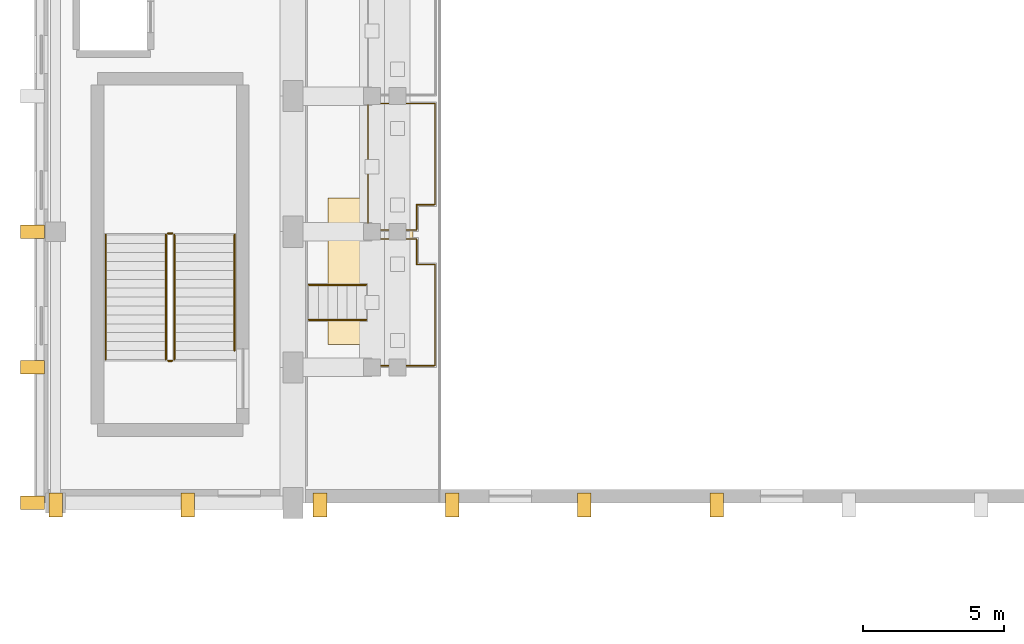
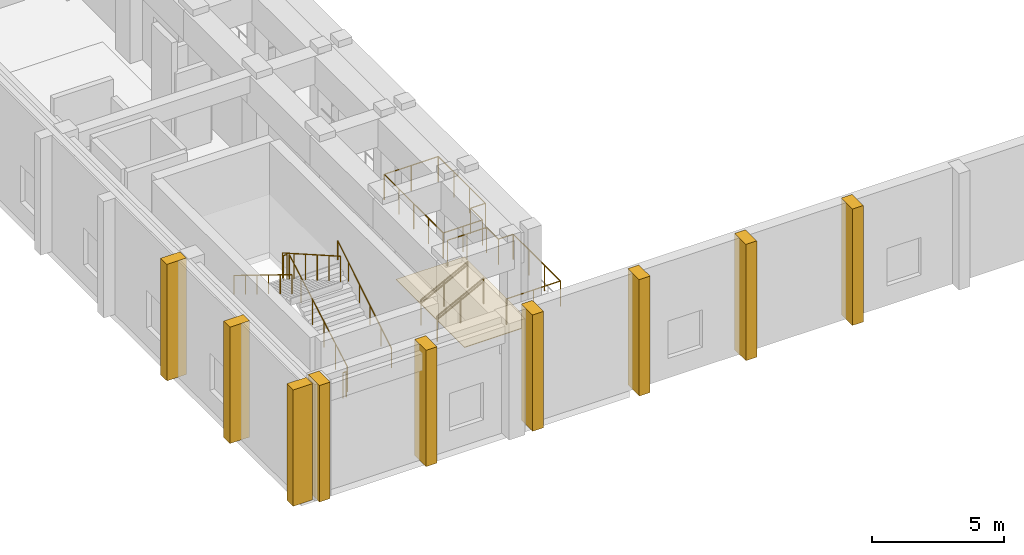
# One storey, part 117 of 134: 12 railings, 10 coverings.
"""IFC4 building model written with IfcOpenShell, lengths in metres."""

from ifc_helpers import new_model, si_unit, direction, frame, origin, origin_2d, place, context, subcontext, project, spatial, polyline, rectangle, circle, outline, extrude, material, layer, layer_set, type_object, element, save


model = new_model("IFC4")

# Units and contexts
model_context = context("Model", 3, precision=1e-05, world=origin(), true_north=direction((0.0, 1.0)))
body_context = subcontext(model_context, "Body", "Model", "MODEL_VIEW")
ifc_project = project(units=[si_unit("LENGTHUNIT", "METRE"), si_unit("AREAUNIT", "SQUARE_METRE"), si_unit("VOLUMEUNIT", "CUBIC_METRE"), si_unit("PLANEANGLEUNIT", "RADIAN"), si_unit("MASSUNIT", "GRAM", prefix="KILO")], contexts=[model_context])

# Site, building, storey
site_placement = place(None, origin())
site = spatial("IfcSite", under=ifc_project, at=site_placement, CompositionType="ELEMENT")
building_placement = place(site_placement, origin())
building = spatial("IfcBuilding", under=site, at=building_placement, Name="Nakhvara Creek Congress Hotel", CompositionType="ELEMENT")
storey_placement = place(building_placement, frame((0.0, 0.0, 6.0)))
storey = spatial("IfcBuildingStorey", under=building, at=storey_placement, Name="L01", CompositionType="ELEMENT", Elevation=6.0)

# Coverings
ifc_material_1 = material(Name="Honed pale Omani limestone architectural cladding", Category="masonry")
ifc_layer_1 = layer(ifc_material_1, 0.449951171875)
ifc_layer_set_1 = layer_set([ifc_layer_1], Name="Honed pale Omani limestone architectural cladding")
covering_type_1 = type_object("IfcCoveringType", Name="COV-BUTT-850", PredefinedType="CLADDING", material=ifc_layer_set_1)
for number, where, z_axis, x_axis, name in (
    (1, (-0.06494140625, 33.60009765625, 0.0), (0.0, 0.0, 1.0), (0.0, 1.0, 0.0), "Gothic Limestone Buttress Pier CF03-0434"),
    (2, (-0.06494140625, 38.39990234375, 0.0), (0.0, 0.0, 1.0), (0.0, 1.0, 0.0), "Gothic Limestone Buttress Pier CF03-0435"),
    (3, (-0.06494140625, 43.199951171875, 0.0), (0.0, 0.0, 1.0), (0.0, 1.0, 0.0), "Gothic Limestone Buttress Pier CF03-0436"),
    (4, (0.75, 33.534912109375, 0.0), (0.0, 0.0, 1.0), (1.0, 0.0, 0.0), "Gothic Limestone Buttress Pier CF03-0446"),
    (5, (5.429931640625, 33.534912109375, 0.0), (0.0, 0.0, 1.0), (1.0, 0.0, 0.0), "Gothic Limestone Buttress Pier CF03-0447"),
    (6, (10.110107421875, 33.534912109375, 0.0), (0.0, 0.0, 1.0), (1.0, 0.0, 0.0), "Gothic Limestone Buttress Pier CF03-0448"),
    (7, (14.7900390625, 33.534912109375, 0.0), (0.0, 0.0, 1.0), (1.0, 0.0, 0.0), "Gothic Limestone Buttress Pier CF03-0449"),
    (8, (19.469970703125, 33.534912109375, 0.0), (0.0, 0.0, 1.0), (1.0, 0.0, 0.0), "Gothic Limestone Buttress Pier CF03-0450"),
    (9, (24.14990234375, 33.534912109375, 0.0), (0.0, 0.0, 1.0), (1.0, 0.0, 0.0), "Gothic Limestone Buttress Pier CF03-0451"),
):
    element("IfcCovering", number, at=place(storey_placement, frame(where, z_axis=z_axis, x_axis=x_axis)), inside=storey, type_object=covering_type_1, Name=name, PredefinedType="CLADDING", context=body_context, shape_type="SweptSolid", body=[
        extrude(rectangle(XDim=0.47998046875, YDim=0.85009765625, at=origin_2d()), origin(), (0.0, 0.0, 1.0), 5.39990234375),
    ])
ifc_material_2 = material(Name="Honed limestone and terrazzo acoustic floor finish", Category="masonry")
ifc_layer_2 = layer(ifc_material_2, 0.044921875)
ifc_layer_set_2 = layer_set([ifc_layer_2], Name="Honed limestone and terrazzo acoustic floor finish")
covering_type_2 = type_object("IfcCoveringType", Name="COV-FLR-TER", PredefinedType="FLOORING", material=ifc_layer_set_2)
covering_placement = place(storey_placement, origin())
element("IfcCovering", 10, at=covering_placement, inside=storey, type_object=covering_type_2, Name="Floor Finish L01-CH-01", PredefinedType="FLOORING", context=body_context, shape_type="SweptSolid", body=[
    extrude(outline(polyline([(10.39990234375, 39.199951171875), (13.39990234375, 39.199951171875), (13.39990234375, 44.39990234375), (10.39990234375, 44.39990234375), (10.39990234375, 39.199951171875)])), origin(), (0.0, 0.0, 1.0), 0.030029296875),
])

# Railings
ifc_material_3 = material(Name="Bronze-anodised aluminium and laminated safety glass balustrade", Category="aluminium")
railing_type_1 = type_object("IfcRailingType", Name="RL-BALUS-1200", PredefinedType="BALUSTRADE", material=ifc_material_3)
railing_1_placement = place(storey_placement, frame((11.81005859375, 38.4599609375, 1.050048828125)))
element("IfcRailing", 11, at=railing_1_placement, inside=storey, type_object=railing_type_1, Name="Stand Tier Balustrade L01-01", PredefinedType="BALUSTRADE", context=body_context, shape_type="SweptSolid", body=[
    extrude(circle(Radius=0.02392578125, at=origin_2d()), frame((0.0146484375, 0.0, 1.17578125), z_axis=(1.0, 0.0, 0.0), x_axis=(0.0, 1.0, 0.0)), (0.0, 0.0, 1.0), 2.340576171875),
    extrude(circle(Radius=0.02392578125, at=origin_2d()), frame((2.369873046875, 0.0146484375, 1.17578125), z_axis=(0.0, 1.0, 0.0), x_axis=(-1.0, 0.0, 0.0)), (0.0, 0.0, 1.0), 3.55078125),
    extrude(circle(Radius=0.02392578125, at=origin_2d()), frame((2.355224609375, 3.580078125, 1.17578125), z_axis=(-1.0, 0.0, 0.0), x_axis=(0.0, -1.0, 0.0)), (0.0, 0.0, 1.0), 0.62060546875),
    extrude(circle(Radius=0.02392578125, at=origin_2d()), frame((1.719970703125, 3.5947265625, 1.17578125), z_axis=(0.0, 1.0, 0.0), x_axis=(-1.0, 0.0, 0.0)), (0.0, 0.0, 1.0), 0.87060546875),
    extrude(circle(Radius=0.02392578125, at=origin_2d()), frame((1.705322265625, 4.47998046875, 1.17578125), z_axis=(-1.0, 0.0, 0.0), x_axis=(0.0, -1.0, 0.0)), (0.0, 0.0, 1.0), 1.690673828125),
    extrude(circle(Radius=0.02099609375, at=origin_2d()), origin(), (0.0, 0.0, 1.0), 1.1806640625),
    extrude(circle(Radius=0.02099609375, at=origin_2d()), frame((1.18505859375, 0.0, 0.0)), (0.0, 0.0, 1.0), 1.1806640625),
    extrude(circle(Radius=0.02099609375, at=origin_2d()), frame((2.369873046875, 0.0, 0.0)), (0.0, 0.0, 1.0), 1.1806640625),
    extrude(circle(Radius=0.02099609375, at=origin_2d()), frame((2.369873046875, 1.193359375, 0.0)), (0.0, 0.0, 1.0), 1.1806640625),
    extrude(circle(Radius=0.02099609375, at=origin_2d()), frame((2.369873046875, 2.38671875, 0.0)), (0.0, 0.0, 1.0), 1.1806640625),
    extrude(circle(Radius=0.02099609375, at=origin_2d()), frame((2.369873046875, 3.580078125, 0.0)), (0.0, 0.0, 1.0), 1.1806640625),
    extrude(circle(Radius=0.02099609375, at=origin_2d()), frame((1.719970703125, 3.580078125, 0.0)), (0.0, 0.0, 1.0), 1.1806640625),
    extrude(circle(Radius=0.02099609375, at=origin_2d()), frame((1.719970703125, 4.47998046875, 0.0)), (0.0, 0.0, 1.0), 1.1806640625),
    extrude(circle(Radius=0.02099609375, at=origin_2d()), frame((0.85986328125, 4.47998046875, 0.0)), (0.0, 0.0, 1.0), 1.1806640625),
    extrude(circle(Radius=0.02099609375, at=origin_2d()), frame((0.0, 4.47998046875, 0.0)), (0.0, 0.0, 1.0), 1.1806640625),
])
railing_2_placement = place(storey_placement, frame((11.81005859375, 43.260009765625, 1.199951171875)))
element("IfcRailing", 12, at=railing_2_placement, inside=storey, type_object=railing_type_1, Name="Stand Tier Balustrade L01-02", PredefinedType="BALUSTRADE", context=body_context, shape_type="SweptSolid", body=[
    extrude(circle(Radius=0.02392578125, at=origin_2d()), frame((0.0146484375, 0.0, 1.17578125), z_axis=(1.0, 0.0, 0.0), x_axis=(0.0, 1.0, 0.0)), (0.0, 0.0, 1.0), 1.690673828125),
    extrude(circle(Radius=0.02392578125, at=origin_2d()), frame((1.719970703125, 0.0146484375, 1.17578125), z_axis=(0.0, 1.0, 0.0), x_axis=(-1.0, 0.0, 0.0)), (0.0, 0.0, 1.0), 0.87060546875),
    extrude(circle(Radius=0.02392578125, at=origin_2d()), frame((1.734619140625, 0.89990234375, 1.17578125), z_axis=(1.0, 0.0, 0.0), x_axis=(0.0, 1.0, 0.0)), (0.0, 0.0, 1.0), 0.62060546875),
    extrude(circle(Radius=0.02392578125, at=origin_2d()), frame((2.369873046875, 0.91455078125, 1.17578125), z_axis=(0.0, 1.0, 0.0), x_axis=(-1.0, 0.0, 0.0)), (0.0, 0.0, 1.0), 3.55078125),
    extrude(circle(Radius=0.02392578125, at=origin_2d()), frame((2.355224609375, 4.47998046875, 1.17578125), z_axis=(-1.0, 0.0, 0.0), x_axis=(0.0, -1.0, 0.0)), (0.0, 0.0, 1.0), 2.340576171875),
    extrude(circle(Radius=0.02392578125, at=origin_2d()), frame((0.0, 4.46533203125, 1.17578125), z_axis=(0.0, -1.0, 0.0), x_axis=(1.0, 0.0, 0.0)), (0.0, 0.0, 1.0), 4.45068359375),
    extrude(circle(Radius=0.02099609375, at=origin_2d()), origin(), (0.0, 0.0, 1.0), 1.1806640625),
    extrude(circle(Radius=0.02099609375, at=origin_2d()), frame((0.85986328125, 0.0, 0.0)), (0.0, 0.0, 1.0), 1.1806640625),
    extrude(circle(Radius=0.02099609375, at=origin_2d()), frame((1.719970703125, 0.0, 0.0)), (0.0, 0.0, 1.0), 1.1806640625),
    extrude(circle(Radius=0.02099609375, at=origin_2d()), frame((1.719970703125, 0.89990234375, 0.0)), (0.0, 0.0, 1.0), 1.1806640625),
    extrude(circle(Radius=0.02099609375, at=origin_2d()), frame((2.369873046875, 0.89990234375, 0.0)), (0.0, 0.0, 1.0), 1.1806640625),
    extrude(circle(Radius=0.02099609375, at=origin_2d()), frame((2.369873046875, 2.09326171875, 0.0)), (0.0, 0.0, 1.0), 1.1806640625),
    extrude(circle(Radius=0.02099609375, at=origin_2d()), frame((2.369873046875, 3.28662109375, 0.0)), (0.0, 0.0, 1.0), 1.1806640625),
    extrude(circle(Radius=0.02099609375, at=origin_2d()), frame((2.369873046875, 4.47998046875, 0.0)), (0.0, 0.0, 1.0), 1.1806640625),
    extrude(circle(Radius=0.02099609375, at=origin_2d()), frame((1.18505859375, 4.47998046875, 0.0)), (0.0, 0.0, 1.0), 1.1806640625),
    extrude(circle(Radius=0.02099609375, at=origin_2d()), frame((0.0, 4.47998046875, 0.0)), (0.0, 0.0, 1.0), 1.1806640625),
    extrude(circle(Radius=0.02099609375, at=origin_2d()), frame((0.0, 3.35986328125, 0.0)), (0.0, 0.0, 1.0), 1.1806640625),
    extrude(circle(Radius=0.02099609375, at=origin_2d()), frame((0.0, 2.239990234375, 0.0)), (0.0, 0.0, 1.0), 1.1806640625),
    extrude(circle(Radius=0.02099609375, at=origin_2d()), frame((0.0, 1.1201171875, 0.0)), (0.0, 0.0, 1.0), 1.1806640625),
])
ifc_material_4 = material(Name="Brushed stainless steel 316L", Category="steel")
railing_type_2 = type_object("IfcRailingType", Name="RL-GUARD-1200", PredefinedType="GUARDRAIL", material=ifc_material_4)
railing_3_placement = place(storey_placement, frame((4.955078125, 38.679931640625, 0.179931640625)))
element("IfcRailing", 13, at=railing_3_placement, inside=storey, type_object=railing_type_2, Name="L01 ST05 stair guard 1", PredefinedType="GUARDRAIL", context=body_context, shape_type="SweptSolid", body=[
    extrude(circle(Radius=0.02392578125, at=origin_2d()), frame((0.0, 0.0126953125, 1.18310546875), z_axis=(0.0, 0.868249057775, 0.496128585825), x_axis=(-1.0, 0.0, 0.0)), (0.0, 0.0, 1.0), 5.050048828125),
    extrude(circle(Radius=0.02099609375, at=origin_2d()), origin(), (0.0, 0.0, 1.0), 1.1806640625),
    extrude(circle(Radius=0.02099609375, at=origin_2d()), frame((0.0, 0.882080078125, 0.50390625)), (0.0, 0.0, 1.0), 1.1806640625),
    extrude(circle(Radius=0.02099609375, at=origin_2d()), frame((0.0, 1.76416015625, 1.008056640625)), (0.0, 0.0, 1.0), 1.1806640625),
    extrude(circle(Radius=0.02099609375, at=origin_2d()), frame((0.0, 2.64599609375, 1.511962890625)), (0.0, 0.0, 1.0), 1.1806640625),
    extrude(circle(Radius=0.02099609375, at=origin_2d()), frame((0.0, 3.528076171875, 2.01611328125)), (0.0, 0.0, 1.0), 1.1806640625),
    extrude(circle(Radius=0.02099609375, at=origin_2d()), frame((0.0, 4.41015625, 2.52001953125)), (0.0, 0.0, 1.0), 1.1806640625),
])
railing_4_placement = place(storey_placement, frame((4.8798828125, 43.139892578125, 2.699951171875)))
element("IfcRailing", 14, at=railing_4_placement, inside=storey, type_object=railing_type_2, Name="L01 ST05 stair guard 2", PredefinedType="GUARDRAIL", context=body_context, shape_type="SweptSolid", body=[
    extrude(circle(Radius=0.02392578125, at=origin_2d()), frame((-0.0146484375, 0.0, 1.17578125), z_axis=(-1.0, 0.0, 0.0), x_axis=(0.0, -1.0, 0.0)), (0.0, 0.0, 1.0), 0.12060546875),
    extrude(circle(Radius=0.02099609375, at=origin_2d()), origin(), (0.0, 0.0, 1.0), 1.1806640625),
    extrude(circle(Radius=0.02099609375, at=origin_2d()), frame((-0.14990234375, 0.0, 0.0)), (0.0, 0.0, 1.0), 1.1806640625),
])
railing_5_placement = place(storey_placement, frame((4.655029296875, 43.090087890625, 2.8798828125)))
element("IfcRailing", 15, at=railing_5_placement, inside=storey, type_object=railing_type_2, Name="L01 ST05 stair guard 3", PredefinedType="GUARDRAIL", context=body_context, shape_type="SweptSolid", body=[
    extrude(circle(Radius=0.02392578125, at=origin_2d()), frame((0.0, -0.0126953125, 1.18310546875), z_axis=(0.0, -0.868249057775, 0.496128585825), x_axis=(1.0, 0.0, 0.0)), (0.0, 0.0, 1.0), 5.050048828125),
    extrude(circle(Radius=0.02099609375, at=origin_2d()), origin(), (0.0, 0.0, 1.0), 1.1806640625),
    extrude(circle(Radius=0.02099609375, at=origin_2d()), frame((0.0, -0.882080078125, 0.50390625)), (0.0, 0.0, 1.0), 1.1806640625),
    extrude(circle(Radius=0.02099609375, at=origin_2d()), frame((0.0, -1.76416015625, 1.008056640625)), (0.0, 0.0, 1.0), 1.1806640625),
    extrude(circle(Radius=0.02099609375, at=origin_2d()), frame((0.0, -2.64599609375, 1.511962890625)), (0.0, 0.0, 1.0), 1.1806640625),
    extrude(circle(Radius=0.02099609375, at=origin_2d()), frame((0.0, -3.528076171875, 2.01611328125)), (0.0, 0.0, 1.0), 1.1806640625),
    extrude(circle(Radius=0.02099609375, at=origin_2d()), frame((0.0, -4.41015625, 2.52001953125)), (0.0, 0.0, 1.0), 1.1806640625),
])
railing_6_placement = place(storey_placement, frame((4.8798828125, 38.6298828125, 0.0)))
element("IfcRailing", 16, at=railing_6_placement, inside=storey, type_object=railing_type_2, Name="L01 ST05 stair guard 4", PredefinedType="GUARDRAIL", context=body_context, shape_type="SweptSolid", body=[
    extrude(circle(Radius=0.02392578125, at=origin_2d()), frame((-0.0146484375, 0.0, 1.17578125), z_axis=(-1.0, 0.0, 0.0), x_axis=(0.0, -1.0, 0.0)), (0.0, 0.0, 1.0), 0.12060546875),
    extrude(circle(Radius=0.02099609375, at=origin_2d()), origin(), (0.0, 0.0, 1.0), 1.1806640625),
    extrude(circle(Radius=0.02099609375, at=origin_2d()), frame((-0.14990234375, 0.0, 0.0)), (0.0, 0.0, 1.0), 1.1806640625),
])
for number, where, name in (
    (17, (9.7099609375, 40.080078125, 0.0), "Vomitory Guard SV03-S"),
    (18, (9.7099609375, 41.320068359375, 0.0), "Vomitory Guard SV03-N"),
):
    element("IfcRailing", number, at=place(storey_placement, frame(where)), inside=storey, type_object=railing_type_2, Name=name, PredefinedType="GUARDRAIL", context=body_context, shape_type="SweptSolid", body=[
        extrude(circle(Radius=0.02392578125, at=origin_2d()), frame((0.01318359375, 0.0, 1.1826171875), z_axis=(0.889130716513, 0.0, 0.457653328354), x_axis=(0.0, 1.0, 0.0)), (0.0, 0.0, 1.0), 2.26513671875),
        extrude(circle(Radius=0.02099609375, at=origin_2d()), origin(), (0.0, 0.0, 1.0), 1.1806640625),
        extrude(circle(Radius=0.02099609375, at=origin_2d()), frame((1.02001953125, 0.0, 0.52490234375)), (0.0, 0.0, 1.0), 1.1806640625),
        extrude(circle(Radius=0.02099609375, at=origin_2d()), frame((2.0400390625, 0.0, 1.050048828125)), (0.0, 0.0, 1.0), 1.1806640625),
    ])
railing_type_3 = type_object("IfcRailingType", Name="RL-HAND-900", PredefinedType="HANDRAIL", material=ifc_material_4)
railing_7_placement = place(storey_placement, frame((7.0849609375, 38.9951171875, 0.360107421875)))
element("IfcRailing", 19, at=railing_7_placement, inside=storey, type_object=railing_type_3, Name="L01 ST05 stair handrail 1", PredefinedType="HANDRAIL", context=body_context, shape_type="SweptSolid", body=[
    extrude(circle(Radius=0.02392578125, at=origin_2d()), frame((0.0, 0.012451171875, 0.883544921875), z_axis=(0.0, 0.850634571024, 0.52575738376), x_axis=(-1.0, 0.0, 0.0)), (0.0, 0.0, 1.0), 4.78466796875),
    extrude(circle(Radius=0.02099609375, at=origin_2d()), origin(), (0.0, 0.0, 1.0), 0.880615234375),
    extrude(circle(Radius=0.02099609375, at=origin_2d()), frame((0.0, 0.819091796875, 0.506103515625)), (0.0, 0.0, 1.0), 0.880615234375),
    extrude(circle(Radius=0.02099609375, at=origin_2d()), frame((0.0, 1.637939453125, 1.012451171875)), (0.0, 0.0, 1.0), 0.880615234375),
    extrude(circle(Radius=0.02099609375, at=origin_2d()), frame((0.0, 2.45703125, 1.5185546875)), (0.0, 0.0, 1.0), 0.880615234375),
    extrude(circle(Radius=0.02099609375, at=origin_2d()), frame((0.0, 3.27587890625, 2.02490234375)), (0.0, 0.0, 1.0), 0.880615234375),
    extrude(circle(Radius=0.02099609375, at=origin_2d()), frame((0.0, 4.094970703125, 2.531005859375)), (0.0, 0.0, 1.0), 0.880615234375),
])
railing_8_placement = place(storey_placement, frame((2.52490234375, 43.090087890625, 2.8798828125)))
element("IfcRailing", 20, at=railing_8_placement, inside=storey, type_object=railing_type_3, Name="L01 ST05 stair handrail 2", PredefinedType="HANDRAIL", context=body_context, shape_type="SweptSolid", body=[
    extrude(circle(Radius=0.02392578125, at=origin_2d()), frame((0.0, -0.012451171875, 0.883544921875), z_axis=(0.0, -0.851896254754, 0.523710579553), x_axis=(1.0, 0.0, 0.0)), (0.0, 0.0, 1.0), 5.1474609375),
    extrude(circle(Radius=0.02099609375, at=origin_2d()), origin(), (0.0, 0.0, 1.0), 0.880615234375),
    extrude(circle(Radius=0.02099609375, at=origin_2d()), frame((0.0, -0.882080078125, 0.542236328125)), (0.0, 0.0, 1.0), 0.880615234375),
    extrude(circle(Radius=0.02099609375, at=origin_2d()), frame((0.0, -1.76416015625, 1.08447265625)), (0.0, 0.0, 1.0), 0.880615234375),
    extrude(circle(Radius=0.02099609375, at=origin_2d()), frame((0.0, -2.64599609375, 1.626708984375)), (0.0, 0.0, 1.0), 0.880615234375),
    extrude(circle(Radius=0.02099609375, at=origin_2d()), frame((0.0, -3.528076171875, 2.1689453125)), (0.0, 0.0, 1.0), 0.880615234375),
    extrude(circle(Radius=0.02099609375, at=origin_2d()), frame((0.0, -4.41015625, 2.711181640625)), (0.0, 0.0, 1.0), 0.880615234375),
])
for number, where, name in (
    (21, (9.7099609375, 40.080078125, 0.14990234375), "Vomitory Handrail SV03-S"),
    (22, (9.7099609375, 41.320068359375, 0.14990234375), "Vomitory Handrail SV03-N"),
):
    element("IfcRailing", number, at=place(storey_placement, frame(where)), inside=storey, type_object=railing_type_3, Name=name, PredefinedType="HANDRAIL", context=body_context, shape_type="SweptSolid", body=[
        extrude(circle(Radius=0.02392578125, at=origin_2d()), frame((0.012939453125, 0.0, 0.882568359375), z_axis=(0.887178554642, 0.0, 0.461426280334), x_axis=(0.0, 1.0, 0.0)), (0.0, 0.0, 1.0), 2.27001953125),
        extrude(circle(Radius=0.02099609375, at=origin_2d()), origin(), (0.0, 0.0, 1.0), 0.880615234375),
        extrude(circle(Radius=0.02099609375, at=origin_2d()), frame((1.02001953125, 0.0, 0.530517578125)), (0.0, 0.0, 1.0), 0.880615234375),
        extrude(circle(Radius=0.02099609375, at=origin_2d()), frame((2.0400390625, 0.0, 1.06103515625)), (0.0, 0.0, 1.0), 0.880615234375),
    ])

save(model, "model.ifc")
